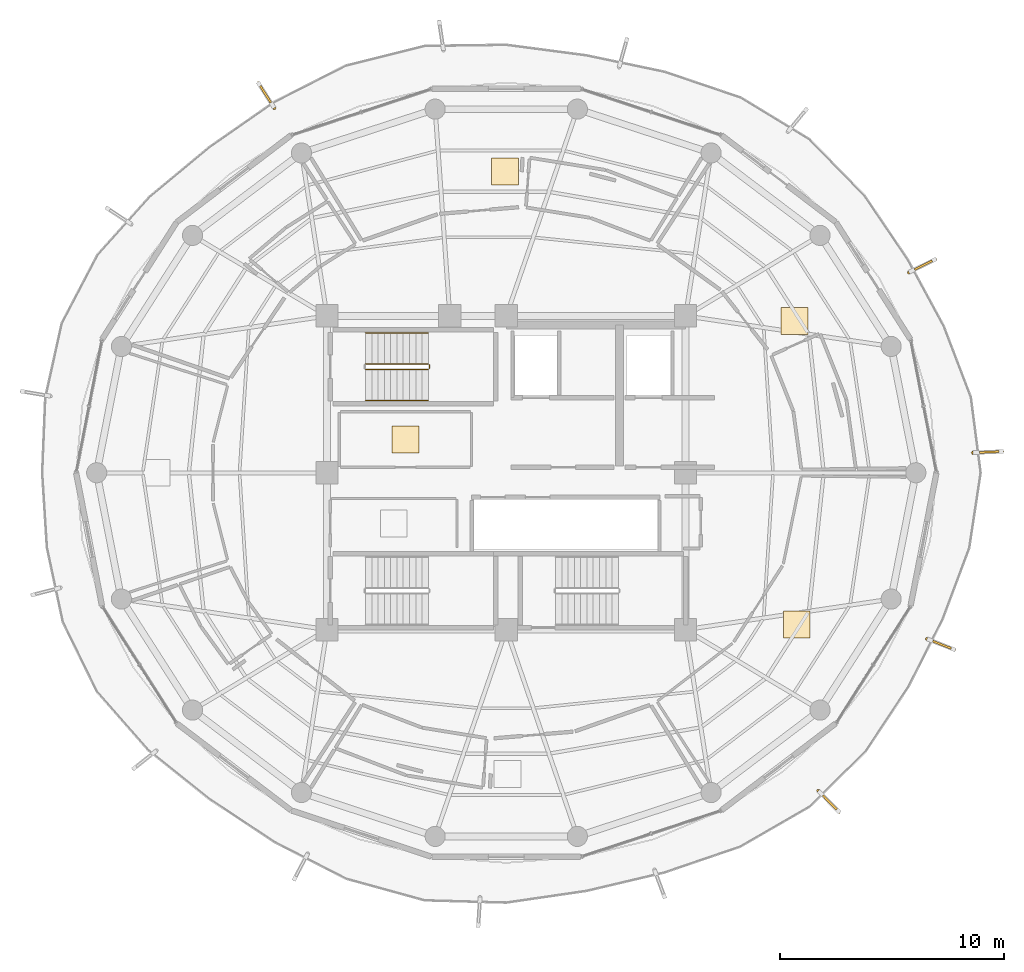
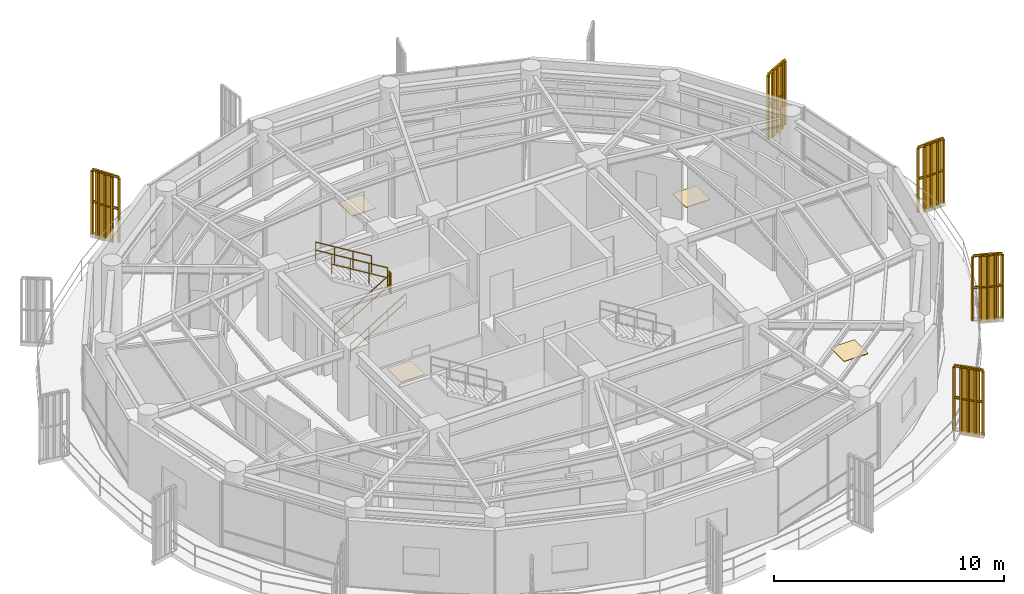
# One storey, part 21 of 22: 10 railings, 5 shading devices, 4 coverings.
"""IFC4 building model written with IfcOpenShell, lengths in metres."""

from ifc_helpers import new_model, si_unit, direction, frame, origin, origin_2d, place, context, subcontext, project, spatial, polyline, rectangle, outline, extrude, source, transform, mapped, material, layer, layer_set, type_object, element, save


model = new_model("IFC4")

# Units and contexts
model_context = context("Model", 3, precision=1e-05, world=origin(), true_north=direction((0.0, 1.0)))
body_context = subcontext(model_context, "Body", "Model", "MODEL_VIEW")
ifc_project = project(units=[si_unit("LENGTHUNIT", "METRE"), si_unit("AREAUNIT", "SQUARE_METRE"), si_unit("VOLUMEUNIT", "CUBIC_METRE"), si_unit("PLANEANGLEUNIT", "RADIAN"), si_unit("MASSUNIT", "GRAM", prefix="KILO")], contexts=[model_context])

# Site, building, storey
site_placement = place(None, origin())
site = spatial("IfcSite", under=ifc_project, at=site_placement, CompositionType="ELEMENT")
building_placement = place(site_placement, origin())
building = spatial("IfcBuilding", under=site, at=building_placement, Name="Kelanora Arch Commons", CompositionType="ELEMENT")
storey_placement = place(building_placement, frame((0.0, 0.0, 271.199951171875)))
storey = spatial("IfcBuildingStorey", under=building, at=storey_placement, Name="L69", CompositionType="ELEMENT", Elevation=271.199951171875)

# Railings
ifc_material_1 = material(Name="Anodised bronze vertical shading fin rib assembly")
railing_type_1 = type_object("IfcRailingType", Name="RAIL-FIN-BRZ", PredefinedType="BALUSTRADE", material=ifc_material_1)
railing_1_placement = place(storey_placement, frame((92.777587890625, 50.58740234375, -0.02001953125)))
element("IfcRailing", 1, at=railing_1_placement, inside=storey, type_object=railing_type_1, Name="Sweeping Bronze Vertical Fin Blade L69-00", PredefinedType="BALUSTRADE", context=body_context, shape_type="SweptSolid", body=[
    extrude(outline(polyline([(0.06982421875, 0.0), (0.034912109375, 0.060546875), (-0.034912109375, 0.060546875), (-0.06982421875, 0.0), (-0.034912109375, -0.060546875), (0.034912109375, -0.060546875), (0.06982421875, 0.0)])), frame((0.0, 0.0, 3.419921875), z_axis=(0.930131681056, -0.367226164504, 0.0), x_axis=(0.367226164504, 0.930131681056, 0.0)), (0.0, 0.0, 1.0), 1.304931640625),
    extrude(outline(polyline([(0.06982421875, 0.0), (0.034912109375, 0.060546875), (-0.034912109375, 0.060546875), (-0.06982421875, 0.0), (-0.034912109375, -0.060546875), (0.034912109375, -0.060546875), (0.06982421875, 0.0)])), frame((0.0, 0.0, 1.7451171875), z_axis=(0.930131681056, -0.367226164504, 0.0), x_axis=(0.367226164504, 0.930131681056, 0.0)), (0.0, 0.0, 1.0), 1.304931640625),
    extrude(outline(polyline([(0.080078125, 0.0), (0.0400390625, 0.0693359375), (-0.0400390625, 0.0693359375), (-0.080078125, 0.0), (-0.0400390625, -0.0693359375), (0.0400390625, -0.0693359375), (0.080078125, 0.0)])), origin(), (0.0, 0.0, 1.0), 3.35009765625),
    extrude(outline(polyline([(0.080078125, 0.0), (0.0400390625, 0.0693359375), (-0.0400390625, 0.0693359375), (-0.080078125, 0.0), (-0.0400390625, -0.0693359375), (0.0400390625, -0.0693359375), (0.080078125, 0.0)])), frame((0.303466796875, -0.119873046875, 0.0)), (0.0, 0.0, 1.0), 3.35009765625),
    extrude(outline(polyline([(0.080078125, 0.0), (0.0400390625, 0.0693359375), (-0.0400390625, 0.0693359375), (-0.080078125, 0.0), (-0.0400390625, -0.0693359375), (0.0400390625, -0.0693359375), (0.080078125, 0.0)])), frame((0.60693359375, -0.23974609375, 0.0)), (0.0, 0.0, 1.0), 3.35009765625),
    extrude(outline(polyline([(0.080078125, 0.0), (0.0400390625, 0.0693359375), (-0.0400390625, 0.0693359375), (-0.080078125, 0.0), (-0.0400390625, -0.0693359375), (0.0400390625, -0.0693359375), (0.080078125, 0.0)])), frame((0.910400390625, -0.359375, 0.0)), (0.0, 0.0, 1.0), 3.35009765625),
    extrude(outline(polyline([(0.080078125, 0.0), (0.0400390625, 0.0693359375), (-0.0400390625, 0.0693359375), (-0.080078125, 0.0), (-0.0400390625, -0.0693359375), (0.0400390625, -0.0693359375), (0.080078125, 0.0)])), frame((1.2138671875, -0.479248046875, 0.0)), (0.0, 0.0, 1.0), 3.35009765625),
])
railing_2_placement = place(storey_placement, frame((94.82958984375, 58.89404296875, -0.02001953125)))
element("IfcRailing", 2, at=railing_2_placement, inside=storey, type_object=railing_type_1, Name="Sweeping Bronze Vertical Fin Blade L69-01", PredefinedType="BALUSTRADE", context=body_context, shape_type="SweptSolid", body=[
    extrude(outline(polyline([(0.06982421875, 0.0), (0.034912109375, 0.060546875), (-0.034912109375, 0.060546875), (-0.06982421875, 0.0), (-0.034912109375, -0.060546875), (0.034912109375, -0.060546875), (0.06982421875, 0.0)])), frame((0.0, 0.0, 3.419921875), z_axis=(0.999073726109, 0.043031265357, 0.0), x_axis=(-0.043031265357, 0.999073726109, 0.0)), (0.0, 0.0, 1.0), 1.304931640625),
    extrude(outline(polyline([(0.06982421875, 0.0), (0.034912109375, 0.060546875), (-0.034912109375, 0.060546875), (-0.06982421875, 0.0), (-0.034912109375, -0.060546875), (0.034912109375, -0.060546875), (0.06982421875, 0.0)])), frame((0.0, 0.0, 1.7451171875), z_axis=(0.999073726109, 0.043031265357, 0.0), x_axis=(-0.043031265357, 0.999073726109, 0.0)), (0.0, 0.0, 1.0), 1.304931640625),
    extrude(outline(polyline([(0.080078125, 0.0), (0.0400390625, 0.0693359375), (-0.0400390625, 0.0693359375), (-0.080078125, 0.0), (-0.0400390625, -0.0693359375), (0.0400390625, -0.0693359375), (0.080078125, 0.0)])), origin(), (0.0, 0.0, 1.0), 3.35009765625),
    extrude(outline(polyline([(0.080078125, 0.0), (0.0400390625, 0.0693359375), (-0.0400390625, 0.0693359375), (-0.080078125, 0.0), (-0.0400390625, -0.0693359375), (0.0400390625, -0.0693359375), (0.080078125, 0.0)])), frame((0.325927734375, 0.01416015625, 0.0)), (0.0, 0.0, 1.0), 3.35009765625),
    extrude(outline(polyline([(0.080078125, 0.0), (0.0400390625, 0.0693359375), (-0.0400390625, 0.0693359375), (-0.080078125, 0.0), (-0.0400390625, -0.0693359375), (0.0400390625, -0.0693359375), (0.080078125, 0.0)])), frame((0.65185546875, 0.028076171875, 0.0)), (0.0, 0.0, 1.0), 3.35009765625),
    extrude(outline(polyline([(0.080078125, 0.0), (0.0400390625, 0.0693359375), (-0.0400390625, 0.0693359375), (-0.080078125, 0.0), (-0.0400390625, -0.0693359375), (0.0400390625, -0.0693359375), (0.080078125, 0.0)])), frame((0.977783203125, 0.0419921875, 0.0)), (0.0, 0.0, 1.0), 3.35009765625),
    extrude(outline(polyline([(0.080078125, 0.0), (0.0400390625, 0.0693359375), (-0.0400390625, 0.0693359375), (-0.080078125, 0.0), (-0.0400390625, -0.0693359375), (0.0400390625, -0.0693359375), (0.080078125, 0.0)])), frame((1.3037109375, 0.05615234375, 0.0)), (0.0, 0.0, 1.0), 3.35009765625),
])
railing_3_placement = place(storey_placement, frame((91.972900390625, 66.944580078125, -0.02001953125)))
element("IfcRailing", 3, at=railing_3_placement, inside=storey, type_object=railing_type_1, Name="Sweeping Bronze Vertical Fin Blade L69-02", PredefinedType="BALUSTRADE", context=body_context, shape_type="SweptSolid", body=[
    extrude(outline(polyline([(0.06982421875, 0.0), (0.034912109375, 0.060546875), (-0.034912109375, 0.060546875), (-0.06982421875, 0.0), (-0.034912109375, -0.060546875), (0.034912109375, -0.060546875), (0.06982421875, 0.0)])), frame((0.0, 0.0, 3.419921875), z_axis=(0.895323330384, 0.44541680937, 0.0), x_axis=(-0.44541680937, 0.895323330384, 0.0)), (0.0, 0.0, 1.0), 1.30517578125),
    extrude(outline(polyline([(0.06982421875, 0.0), (0.034912109375, 0.060546875), (-0.034912109375, 0.060546875), (-0.06982421875, 0.0), (-0.034912109375, -0.060546875), (0.034912109375, -0.060546875), (0.06982421875, 0.0)])), frame((0.0, 0.0, 1.7451171875), z_axis=(0.895323330384, 0.44541680937, 0.0), x_axis=(-0.44541680937, 0.895323330384, 0.0)), (0.0, 0.0, 1.0), 1.30517578125),
    extrude(outline(polyline([(0.080078125, 0.0), (0.0400390625, 0.0693359375), (-0.0400390625, 0.0693359375), (-0.080078125, 0.0), (-0.0400390625, -0.0693359375), (0.0400390625, -0.0693359375), (0.080078125, 0.0)])), origin(), (0.0, 0.0, 1.0), 3.35009765625),
    extrude(outline(polyline([(0.080078125, 0.0), (0.0400390625, 0.0693359375), (-0.0400390625, 0.0693359375), (-0.080078125, 0.0), (-0.0400390625, -0.0693359375), (0.0400390625, -0.0693359375), (0.080078125, 0.0)])), frame((0.2919921875, 0.145263671875, 0.0)), (0.0, 0.0, 1.0), 3.35009765625),
    extrude(outline(polyline([(0.080078125, 0.0), (0.0400390625, 0.0693359375), (-0.0400390625, 0.0693359375), (-0.080078125, 0.0), (-0.0400390625, -0.0693359375), (0.0400390625, -0.0693359375), (0.080078125, 0.0)])), frame((0.584228515625, 0.29052734375, 0.0)), (0.0, 0.0, 1.0), 3.35009765625),
    extrude(outline(polyline([(0.080078125, 0.0), (0.0400390625, 0.0693359375), (-0.0400390625, 0.0693359375), (-0.080078125, 0.0), (-0.0400390625, -0.0693359375), (0.0400390625, -0.0693359375), (0.080078125, 0.0)])), frame((0.87646484375, 0.43603515625, 0.0)), (0.0, 0.0, 1.0), 3.35009765625),
    extrude(outline(polyline([(0.080078125, 0.0), (0.0400390625, 0.0693359375), (-0.0400390625, 0.0693359375), (-0.080078125, 0.0), (-0.0400390625, -0.0693359375), (0.0400390625, -0.0693359375), (0.080078125, 0.0)])), frame((1.16845703125, 0.581298828125, 0.0)), (0.0, 0.0, 1.0), 3.35009765625),
])
railing_4_placement = place(storey_placement, frame((63.643798828125, 74.2822265625, -0.02001953125)))
element("IfcRailing", 4, at=railing_4_placement, inside=storey, type_object=railing_type_1, Name="Sweeping Bronze Vertical Fin Blade L69-06", PredefinedType="BALUSTRADE", context=body_context, shape_type="SweptSolid", body=[
    extrude(outline(polyline([(0.06982421875, 0.0), (0.034912109375, 0.060546875), (-0.034912109375, 0.060546875), (-0.06982421875, 0.0), (-0.034912109375, -0.060546875), (0.034912109375, -0.060546875), (0.06982421875, 0.0)])), frame((0.0, 0.0, 3.419921875), z_axis=(-0.536609119949, 0.843830938274, 0.0), x_axis=(-0.843830938274, -0.536609119949, 0.0)), (0.0, 0.0, 1.0), 1.304931640625),
    extrude(outline(polyline([(0.06982421875, 0.0), (0.034912109375, 0.060546875), (-0.034912109375, 0.060546875), (-0.06982421875, 0.0), (-0.034912109375, -0.060546875), (0.034912109375, -0.060546875), (0.06982421875, 0.0)])), frame((0.0, 0.0, 1.7451171875), z_axis=(-0.536609119949, 0.843830938274, 0.0), x_axis=(-0.843830938274, -0.536609119949, 0.0)), (0.0, 0.0, 1.0), 1.304931640625),
    extrude(outline(polyline([(0.080078125, 0.0), (0.0400390625, 0.0693359375), (-0.0400390625, 0.0693359375), (-0.080078125, 0.0), (-0.0400390625, -0.0693359375), (0.0400390625, -0.0693359375), (0.080078125, 0.0)])), origin(), (0.0, 0.0, 1.0), 3.35009765625),
    extrude(outline(polyline([(0.080078125, 0.0), (0.0400390625, 0.0693359375), (-0.0400390625, 0.0693359375), (-0.080078125, 0.0), (-0.0400390625, -0.0693359375), (0.0400390625, -0.0693359375), (0.080078125, 0.0)])), frame((-0.175048828125, 0.275390625, 0.0)), (0.0, 0.0, 1.0), 3.35009765625),
    extrude(outline(polyline([(0.080078125, 0.0), (0.0400390625, 0.0693359375), (-0.0400390625, 0.0693359375), (-0.080078125, 0.0), (-0.0400390625, -0.0693359375), (0.0400390625, -0.0693359375), (0.080078125, 0.0)])), frame((-0.35009765625, 0.550537109375, 0.0)), (0.0, 0.0, 1.0), 3.35009765625),
    extrude(outline(polyline([(0.080078125, 0.0), (0.0400390625, 0.0693359375), (-0.0400390625, 0.0693359375), (-0.080078125, 0.0), (-0.0400390625, -0.0693359375), (0.0400390625, -0.0693359375), (0.080078125, 0.0)])), frame((-0.525146484375, 0.82568359375, 0.0)), (0.0, 0.0, 1.0), 3.35009765625),
    extrude(outline(polyline([(0.080078125, 0.0), (0.0400390625, 0.0693359375), (-0.0400390625, 0.0693359375), (-0.080078125, 0.0), (-0.0400390625, -0.0693359375), (0.0400390625, -0.0693359375), (0.080078125, 0.0)])), frame((-0.7001953125, 1.10107421875, 0.0)), (0.0, 0.0, 1.0), 3.35009765625),
])
railing_5_placement = place(storey_placement, frame((87.93017578125, 43.8037109375, -0.02001953125)))
element("IfcRailing", 5, at=railing_5_placement, inside=storey, type_object=railing_type_1, Name="Sweeping Bronze Vertical Fin Blade L69-14", PredefinedType="BALUSTRADE", context=body_context, shape_type="SweptSolid", body=[
    extrude(outline(polyline([(0.06982421875, 0.0), (0.034912109375, 0.060546875), (-0.034912109375, 0.060546875), (-0.06982421875, 0.0), (-0.034912109375, -0.060546875), (0.034912109375, -0.060546875), (0.06982421875, 0.0)])), frame((0.0, 0.0, 3.419921875), z_axis=(0.70043418804, -0.713716994491, 0.0), x_axis=(0.713716994491, 0.70043418804, 0.0)), (0.0, 0.0, 1.0), 1.304931640625),
    extrude(outline(polyline([(0.06982421875, 0.0), (0.034912109375, 0.060546875), (-0.034912109375, 0.060546875), (-0.06982421875, 0.0), (-0.034912109375, -0.060546875), (0.034912109375, -0.060546875), (0.06982421875, 0.0)])), frame((0.0, 0.0, 1.7451171875), z_axis=(0.70043418804, -0.713716994491, 0.0), x_axis=(0.713716994491, 0.70043418804, 0.0)), (0.0, 0.0, 1.0), 1.304931640625),
    extrude(outline(polyline([(0.080078125, 0.0), (0.0400390625, 0.0693359375), (-0.0400390625, 0.0693359375), (-0.080078125, 0.0), (-0.0400390625, -0.0693359375), (0.0400390625, -0.0693359375), (0.080078125, 0.0)])), origin(), (0.0, 0.0, 1.0), 3.35009765625),
    extrude(outline(polyline([(0.080078125, 0.0), (0.0400390625, 0.0693359375), (-0.0400390625, 0.0693359375), (-0.080078125, 0.0), (-0.0400390625, -0.0693359375), (0.0400390625, -0.0693359375), (0.080078125, 0.0)])), frame((0.228515625, -0.23291015625, 0.0)), (0.0, 0.0, 1.0), 3.35009765625),
    extrude(outline(polyline([(0.080078125, 0.0), (0.0400390625, 0.0693359375), (-0.0400390625, 0.0693359375), (-0.080078125, 0.0), (-0.0400390625, -0.0693359375), (0.0400390625, -0.0693359375), (0.080078125, 0.0)])), frame((0.45703125, -0.4658203125, 0.0)), (0.0, 0.0, 1.0), 3.35009765625),
    extrude(outline(polyline([(0.080078125, 0.0), (0.0400390625, 0.0693359375), (-0.0400390625, 0.0693359375), (-0.080078125, 0.0), (-0.0400390625, -0.0693359375), (0.0400390625, -0.0693359375), (0.080078125, 0.0)])), frame((0.685546875, -0.698486328125, 0.0)), (0.0, 0.0, 1.0), 3.35009765625),
    extrude(outline(polyline([(0.080078125, 0.0), (0.0400390625, 0.0693359375), (-0.0400390625, 0.0693359375), (-0.080078125, 0.0), (-0.0400390625, -0.0693359375), (0.0400390625, -0.0693359375), (0.080078125, 0.0)])), frame((0.9140625, -0.931396484375, 0.0)), (0.0, 0.0, 1.0), 3.35009765625),
])
ifc_material_2 = material(Name="Painted steel stair well guard", Category="steel")
railing_type_2 = type_object("IfcRailingType", Name="RAIL-STAIR-GRD", PredefinedType="GUARDRAIL", material=ifc_material_2)
railing_6_placement = place(storey_placement, frame((67.719970703125, 62.610107421875, 0.17041015625)))
element("IfcRailing", 6, at=railing_6_placement, inside=storey, type_object=railing_type_2, Name="L69 ST-T1 stair guard 1", PredefinedType="GUARDRAIL", context=body_context, shape_type="SweptSolid", body=[
    extrude(outline(polyline([(0.02392578125, 0.0), (0.011962890625, 0.020751953125), (-0.011962890625, 0.020751953125), (-0.02392578125, 0.0), (-0.011962890625, -0.020751953125), (0.011962890625, -0.020751953125), (0.02392578125, 0.0)])), frame((0.0, 0.0, 1.076171875), z_axis=(0.854169791009, 0.0, 0.51999420009), x_axis=(0.0, 1.0, 0.0)), (0.0, 0.0, 1.0), 3.278076171875),
    extrude(outline(polyline([(0.02392578125, 0.0), (0.011962890625, 0.020751953125), (-0.011962890625, 0.020751953125), (-0.02392578125, 0.0), (-0.011962890625, -0.020751953125), (0.011962890625, -0.020751953125), (0.02392578125, 0.0)])), frame((0.0, 0.0, 0.550048828125), z_axis=(0.854169791009, 0.0, 0.51999420009), x_axis=(0.0, 1.0, 0.0)), (0.0, 0.0, 1.0), 3.278076171875),
    extrude(outline(polyline([(0.02099609375, 0.0), (0.010498046875, 0.01806640625), (-0.010498046875, 0.01806640625), (-0.02099609375, 0.0), (-0.010498046875, -0.01806640625), (0.010498046875, -0.01806640625), (0.02099609375, 0.0)])), origin(), (0.0, 0.0, 1.0), 1.052001953125),
    extrude(outline(polyline([(0.02099609375, 0.0), (0.010498046875, 0.01806640625), (-0.010498046875, 0.01806640625), (-0.02099609375, 0.0), (-0.010498046875, -0.01806640625), (0.010498046875, -0.01806640625), (0.02099609375, 0.0)])), frame((0.933349609375, 0.0, 0.568115234375)), (0.0, 0.0, 1.0), 1.052001953125),
    extrude(outline(polyline([(0.02099609375, 0.0), (0.010498046875, 0.01806640625), (-0.010498046875, 0.01806640625), (-0.02099609375, 0.0), (-0.010498046875, -0.01806640625), (0.010498046875, -0.01806640625), (0.02099609375, 0.0)])), frame((1.86669921875, 0.0, 1.136474609375)), (0.0, 0.0, 1.0), 1.052001953125),
    extrude(outline(polyline([(0.02099609375, 0.0), (0.010498046875, 0.01806640625), (-0.010498046875, 0.01806640625), (-0.02099609375, 0.0), (-0.010498046875, -0.01806640625), (0.010498046875, -0.01806640625), (0.02099609375, 0.0)])), frame((2.800048828125, 0.0, 1.70458984375)), (0.0, 0.0, 1.0), 1.052001953125),
])
railing_7_placement = place(storey_placement, frame((70.570068359375, 62.659912109375, 1.875)))
element("IfcRailing", 7, at=railing_7_placement, inside=storey, type_object=railing_type_2, Name="L69 ST-T1 stair guard 2", PredefinedType="GUARDRAIL", context=body_context, shape_type="SweptSolid", body=[
    extrude(outline(polyline([(0.02392578125, 0.0), (0.011962890625, 0.020751953125), (-0.011962890625, 0.020751953125), (-0.02392578125, 0.0), (-0.011962890625, -0.020751953125), (0.011962890625, -0.020751953125), (0.02392578125, 0.0)])), frame((0.0, 0.0, 1.076171875), z_axis=(0.0, 1.0, 0.0), x_axis=(-1.0, 0.0, 0.0)), (0.0, 0.0, 1.0), 0.150146484375),
    extrude(outline(polyline([(0.02392578125, 0.0), (0.011962890625, 0.020751953125), (-0.011962890625, 0.020751953125), (-0.02392578125, 0.0), (-0.011962890625, -0.020751953125), (0.011962890625, -0.020751953125), (0.02392578125, 0.0)])), frame((0.0, 0.0, 0.550048828125), z_axis=(0.0, 1.0, 0.0), x_axis=(-1.0, 0.0, 0.0)), (0.0, 0.0, 1.0), 0.150146484375),
    extrude(outline(polyline([(0.02099609375, 0.0), (0.010498046875, 0.01806640625), (-0.010498046875, 0.01806640625), (-0.02099609375, 0.0), (-0.010498046875, -0.01806640625), (0.010498046875, -0.01806640625), (0.02099609375, 0.0)])), origin(), (0.0, 0.0, 1.0), 1.052001953125),
    extrude(outline(polyline([(0.02099609375, 0.0), (0.010498046875, 0.01806640625), (-0.010498046875, 0.01806640625), (-0.02099609375, 0.0), (-0.010498046875, -0.01806640625), (0.010498046875, -0.01806640625), (0.02099609375, 0.0)])), frame((0.0, 0.150146484375, 0.0)), (0.0, 0.0, 1.0), 1.052001953125),
])
railing_8_placement = place(storey_placement, frame((70.52001953125, 62.860107421875, 2.04541015625)))
element("IfcRailing", 8, at=railing_8_placement, inside=storey, type_object=railing_type_2, Name="L69 ST-T1 stair guard 3", PredefinedType="GUARDRAIL", context=body_context, shape_type="SweptSolid", body=[
    extrude(outline(polyline([(0.02392578125, 0.0), (0.011962890625, 0.020751953125), (-0.011962890625, 0.020751953125), (-0.02392578125, 0.0), (-0.011962890625, -0.020751953125), (0.011962890625, -0.020751953125), (0.02392578125, 0.0)])), frame((0.0, 0.0, 1.076171875), z_axis=(-0.854169791009, 0.0, 0.51999420009), x_axis=(0.0, -1.0, 0.0)), (0.0, 0.0, 1.0), 3.278076171875),
    extrude(outline(polyline([(0.02392578125, 0.0), (0.011962890625, 0.020751953125), (-0.011962890625, 0.020751953125), (-0.02392578125, 0.0), (-0.011962890625, -0.020751953125), (0.011962890625, -0.020751953125), (0.02392578125, 0.0)])), frame((0.0, 0.0, 0.550048828125), z_axis=(-0.854169791009, 0.0, 0.51999420009), x_axis=(0.0, -1.0, 0.0)), (0.0, 0.0, 1.0), 3.278076171875),
    extrude(outline(polyline([(0.02099609375, 0.0), (0.010498046875, 0.01806640625), (-0.010498046875, 0.01806640625), (-0.02099609375, 0.0), (-0.010498046875, -0.01806640625), (0.010498046875, -0.01806640625), (0.02099609375, 0.0)])), origin(), (0.0, 0.0, 1.0), 1.052001953125),
    extrude(outline(polyline([(0.02099609375, 0.0), (0.010498046875, 0.01806640625), (-0.010498046875, 0.01806640625), (-0.02099609375, 0.0), (-0.010498046875, -0.01806640625), (0.010498046875, -0.01806640625), (0.02099609375, 0.0)])), frame((-0.933349609375, 0.0, 0.568115234375)), (0.0, 0.0, 1.0), 1.052001953125),
    extrude(outline(polyline([(0.02099609375, 0.0), (0.010498046875, 0.01806640625), (-0.010498046875, 0.01806640625), (-0.02099609375, 0.0), (-0.010498046875, -0.01806640625), (0.010498046875, -0.01806640625), (0.02099609375, 0.0)])), frame((-1.86669921875, 0.0, 1.136474609375)), (0.0, 0.0, 1.0), 1.052001953125),
    extrude(outline(polyline([(0.02099609375, 0.0), (0.010498046875, 0.01806640625), (-0.010498046875, 0.01806640625), (-0.02099609375, 0.0), (-0.010498046875, -0.01806640625), (0.010498046875, -0.01806640625), (0.02099609375, 0.0)])), frame((-2.800048828125, 0.0, 1.70458984375)), (0.0, 0.0, 1.0), 1.052001953125),
])
ifc_material_3 = material(Name="Brushed stainless steel stair handrail", Category="steel")
railing_type_3 = type_object("IfcRailingType", Name="RAIL-STAIR-HND", PredefinedType="HANDRAIL", material=ifc_material_3)
railing_9_placement = place(storey_placement, frame((67.719970703125, 61.22998046875, 0.17041015625)))
element("IfcRailing", 9, at=railing_9_placement, inside=storey, type_object=railing_type_3, Name="L69 ST-T1 stair handrail 1", PredefinedType="HANDRAIL", context=body_context, shape_type="SweptSolid", body=[
    extrude(outline(polyline([(0.02392578125, 0.0), (0.011962890625, 0.020751953125), (-0.011962890625, 0.020751953125), (-0.02392578125, 0.0), (-0.011962890625, -0.020751953125), (0.011962890625, -0.020751953125), (0.02392578125, 0.0)])), frame((0.0, 0.0, 0.8759765625), z_axis=(0.854169791009, 0.0, 0.51999420009), x_axis=(0.0, 1.0, 0.0)), (0.0, 0.0, 1.0), 3.278076171875),
    extrude(outline(polyline([(0.02392578125, 0.0), (0.011962890625, 0.020751953125), (-0.011962890625, 0.020751953125), (-0.02392578125, 0.0), (-0.011962890625, -0.020751953125), (0.011962890625, -0.020751953125), (0.02392578125, 0.0)])), frame((0.0, 0.0, 0.449951171875), z_axis=(0.854169791009, 0.0, 0.51999420009), x_axis=(0.0, 1.0, 0.0)), (0.0, 0.0, 1.0), 3.278076171875),
    extrude(outline(polyline([(0.02099609375, 0.0), (0.010498046875, 0.01806640625), (-0.010498046875, 0.01806640625), (-0.02099609375, 0.0), (-0.010498046875, -0.01806640625), (0.010498046875, -0.01806640625), (0.02099609375, 0.0)])), origin(), (0.0, 0.0, 1.0), 0.851806640625),
    extrude(outline(polyline([(0.02099609375, 0.0), (0.010498046875, 0.01806640625), (-0.010498046875, 0.01806640625), (-0.02099609375, 0.0), (-0.010498046875, -0.01806640625), (0.010498046875, -0.01806640625), (0.02099609375, 0.0)])), frame((0.933349609375, 0.0, 0.568115234375)), (0.0, 0.0, 1.0), 0.851806640625),
    extrude(outline(polyline([(0.02099609375, 0.0), (0.010498046875, 0.01806640625), (-0.010498046875, 0.01806640625), (-0.02099609375, 0.0), (-0.010498046875, -0.01806640625), (0.010498046875, -0.01806640625), (0.02099609375, 0.0)])), frame((1.86669921875, 0.0, 1.136474609375)), (0.0, 0.0, 1.0), 0.851806640625),
    extrude(outline(polyline([(0.02099609375, 0.0), (0.010498046875, 0.01806640625), (-0.010498046875, 0.01806640625), (-0.02099609375, 0.0), (-0.010498046875, -0.01806640625), (0.010498046875, -0.01806640625), (0.02099609375, 0.0)])), frame((2.800048828125, 0.0, 1.70458984375)), (0.0, 0.0, 1.0), 0.851806640625),
])
railing_10_placement = place(storey_placement, frame((70.52001953125, 64.239990234375, 2.04541015625)))
element("IfcRailing", 10, at=railing_10_placement, inside=storey, type_object=railing_type_3, Name="L69 ST-T1 stair handrail 2", PredefinedType="HANDRAIL", context=body_context, shape_type="SweptSolid", body=[
    extrude(outline(polyline([(0.02392578125, 0.0), (0.011962890625, 0.020751953125), (-0.011962890625, 0.020751953125), (-0.02392578125, 0.0), (-0.011962890625, -0.020751953125), (0.011962890625, -0.020751953125), (0.02392578125, 0.0)])), frame((0.0, 0.0, 0.8759765625), z_axis=(-0.854169791009, 0.0, 0.51999420009), x_axis=(0.0, -1.0, 0.0)), (0.0, 0.0, 1.0), 3.278076171875),
    extrude(outline(polyline([(0.02392578125, 0.0), (0.011962890625, 0.020751953125), (-0.011962890625, 0.020751953125), (-0.02392578125, 0.0), (-0.011962890625, -0.020751953125), (0.011962890625, -0.020751953125), (0.02392578125, 0.0)])), frame((0.0, 0.0, 0.449951171875), z_axis=(-0.854169791009, 0.0, 0.51999420009), x_axis=(0.0, -1.0, 0.0)), (0.0, 0.0, 1.0), 3.278076171875),
    extrude(outline(polyline([(0.02099609375, 0.0), (0.010498046875, 0.01806640625), (-0.010498046875, 0.01806640625), (-0.02099609375, 0.0), (-0.010498046875, -0.01806640625), (0.010498046875, -0.01806640625), (0.02099609375, 0.0)])), origin(), (0.0, 0.0, 1.0), 0.851806640625),
    extrude(outline(polyline([(0.02099609375, 0.0), (0.010498046875, 0.01806640625), (-0.010498046875, 0.01806640625), (-0.02099609375, 0.0), (-0.010498046875, -0.01806640625), (0.010498046875, -0.01806640625), (0.02099609375, 0.0)])), frame((-0.933349609375, 0.0, 0.568115234375)), (0.0, 0.0, 1.0), 0.851806640625),
    extrude(outline(polyline([(0.02099609375, 0.0), (0.010498046875, 0.01806640625), (-0.010498046875, 0.01806640625), (-0.02099609375, 0.0), (-0.010498046875, -0.01806640625), (0.010498046875, -0.01806640625), (0.02099609375, 0.0)])), frame((-1.86669921875, 0.0, 1.136474609375)), (0.0, 0.0, 1.0), 0.851806640625),
    extrude(outline(polyline([(0.02099609375, 0.0), (0.010498046875, 0.01806640625), (-0.010498046875, 0.01806640625), (-0.02099609375, 0.0), (-0.010498046875, -0.01806640625), (0.010498046875, -0.01806640625), (0.02099609375, 0.0)])), frame((-2.800048828125, 0.0, 1.70458984375)), (0.0, 0.0, 1.0), 0.851806640625),
])

# Shading devices
ifc_material_4 = material(Name="Terracotta ceramic-clad extruded aluminium fin", Category="masonry")
shading_device_type = type_object("IfcShadingDeviceType", Name="SHD-FIN-FLARE", PredefinedType="USERDEFINED", material=ifc_material_4)
shared_shape_1 = source(origin(), body_context, "Body", "SweptSolid", [
    extrude(rectangle(XDim=0.8798828125, YDim=0.090087890625, at=origin_2d()), origin(), (0.0, 0.0, 1.0), 3.610107421875),
])
for number, where, z_axis, x_axis, name in (
    (11, (93.447265625, 50.322998046875, -0.14013671875), (0.0, 0.0, 1.0), (0.930161475141, -0.367150691357, 0.0), "Sweeping Terracotta Fin L69-00"),
    (12, (95.548828125, 58.925048828125, -0.14013671875), (0.0, 0.0, 1.0), (0.999078430194, 0.042921909558, 0.0), "Sweeping Terracotta Fin L69-01"),
    (13, (92.61767578125, 67.265380859375, -0.14013671875), (0.0, 0.0, 1.0), (0.895245648325, 0.445572922377, 0.0), "Sweeping Terracotta Fin L69-02"),
    (14, (63.25732421875, 74.889892578125, -0.14013671875), (0.0, 0.0, 1.0), (-0.536710679153, 0.843766346142, 0.0), "Sweeping Terracotta Fin L69-06"),
    (15, (88.4345703125, 43.289794921875, -0.14013671875), (0.0, 0.0, 1.0), (0.700411150784, -0.713739602276, 0.0), "Sweeping Terracotta Fin L69-14"),
):
    element("IfcShadingDevice", number, at=place(storey_placement, frame(where, z_axis=z_axis, x_axis=x_axis)), inside=storey, type_object=shading_device_type, Name=name, ObjectType="FIN", PredefinedType="USERDEFINED", context=body_context, shape_type="MappedRepresentation", body=[
        mapped(shared_shape_1, transform((0.0, 0.0, 0.0), scale=1.0)),
    ])

# Coverings
ifc_material_5 = material(Name="Polished local granite terrazzo flooring", Category="masonry")
ifc_layer = layer(ifc_material_5, 0.030029296875)
ifc_layer_set = layer_set([ifc_layer], Name="Polished local granite terrazzo flooring")
covering_type = type_object("IfcCoveringType", Name="COV-FLR-TER", PredefinedType="FLOORING", material=ifc_layer_set)
shared_shape_2 = source(origin(), body_context, "Body", "SweptSolid", [
    extrude(rectangle(XDim=1.199951171875, YDim=1.199951171875, at=origin_2d()), origin(), (0.0, 0.0, 1.0), 0.030029296875),
])
for number, where, z_axis, x_axis, name in (
    (16, (69.5, 59.485107421875, 0.0), (0.0, 0.0, 1.0), (1.0, 0.0, 0.0), "Reclaimed Core Study Pod Lounge L69 Terrazzo Finish"),
    (17, (73.939697265625, 71.446044921875, 0.0), (0.0, 0.0, 1.0), (1.0, 0.0, 0.0), "Co-Living Studio L69-01 Terrazzo Finish"),
    (18, (86.962158203125, 51.236083984375, 0.0), (0.0, 0.0, 1.0), (1.0, 0.0, 0.0), "Quiet Seminar Study Room L69-06 Terrazzo Finish"),
    (19, (86.855224609375, 64.76806640625, 0.0), (0.0, 0.0, 1.0), (1.0, 0.0, 0.0), "Co-Living Studio L69-07 Terrazzo Finish"),
):
    element("IfcCovering", number, at=place(storey_placement, frame(where, z_axis=z_axis, x_axis=x_axis)), inside=storey, type_object=covering_type, Name=name, PredefinedType="FLOORING", context=body_context, shape_type="MappedRepresentation", body=[
        mapped(shared_shape_2, transform((0.0, 0.0, 0.0), scale=1.0)),
    ])

save(model, "model.ifc")
